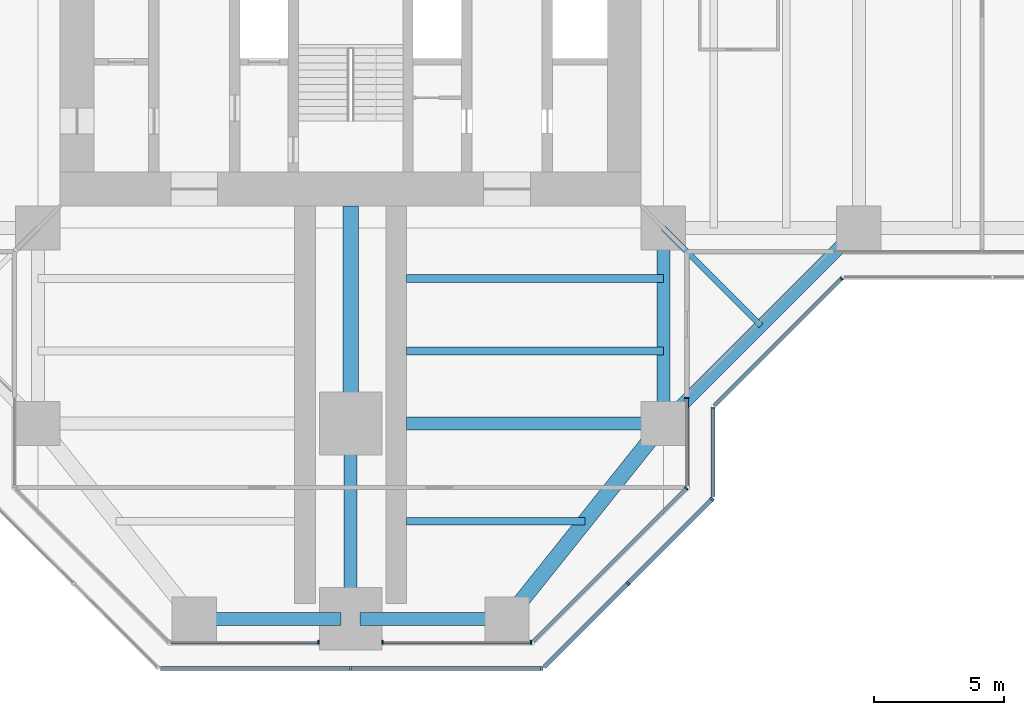
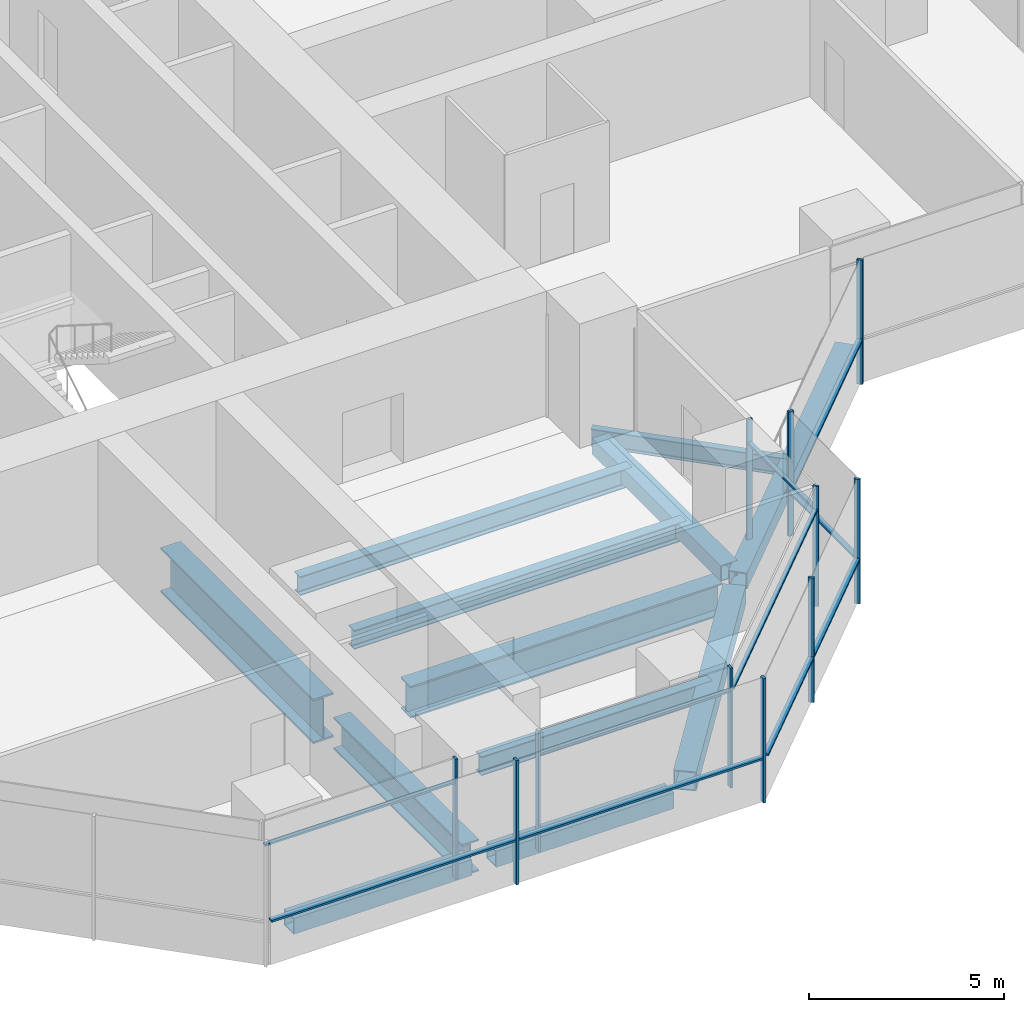
# One storey, part 4 of 20: 21 members, 12 beams, 8 elements without a shape of their own.
"""IFC4 building model written with IfcOpenShell, lengths in metres."""

from ifc_helpers import new_model, si_unit, direction, frame, origin, origin_2d, place, context, subcontext, project, spatial, rectangle, hollow_rectangle, i_section, extrude, material, material_profile, profile_set, type_object, element, aggregate, save


model = new_model("IFC4")

# Units and contexts
model_context = context("Model", 3, precision=1e-05, world=origin(), true_north=direction((0.0, 1.0)))
body_context = subcontext(model_context, "Body", "Model", "MODEL_VIEW")
ifc_project = project(units=[si_unit("LENGTHUNIT", "METRE"), si_unit("AREAUNIT", "SQUARE_METRE"), si_unit("VOLUMEUNIT", "CUBIC_METRE"), si_unit("PLANEANGLEUNIT", "RADIAN"), si_unit("MASSUNIT", "GRAM", prefix="KILO")], contexts=[model_context])

# Site, building, storey
site_placement = place(None, origin())
site = spatial("IfcSite", under=ifc_project, at=site_placement, CompositionType="ELEMENT")
building_placement = place(site_placement, origin())
building = spatial("IfcBuilding", under=site, at=building_placement, Name="Mizan Broadcast Tower", CompositionType="ELEMENT")
storey_placement = place(building_placement, frame((0.0, 0.0, 174.89990234375)))
storey = spatial("IfcBuildingStorey", under=building, at=storey_placement, Name="L40", CompositionType="ELEMENT", Elevation=174.89990234375)

# Beams
ifc_material_1 = material(Name="Steel S355", Category="steel")
ifc_material_profile_1 = material_profile(ifc_material_1, hollow_rectangle(XDim=0.5, YDim=0.5, WallThickness=0.030029296875, at=origin_2d()), Name="BOX 500x500x30")
ifc_profile_set_1 = profile_set([ifc_material_profile_1], Name="Steel S355")
beam_type_1 = type_object("IfcBeamType", Name="EDGE BEAM BOX 500x500x30", PredefinedType="SPANDREL", material=ifc_profile_set_1)
beam_1_placement = place(storey_placement, frame((-5.639892578125, -27.0, -0.3798828125), z_axis=(1.0, 0.0, 0.0), x_axis=(0.0, 1.0, 0.0)))
element("IfcBeam", 1, at=beam_1_placement, inside=storey, type_object=beam_type_1, Name="Edge beam BOX 500x500x30 L40 south arm", PredefinedType="SPANDREL", context=body_context, shape_type="SweptSolid", body=[
    extrude(hollow_rectangle(XDim=0.5, YDim=0.5, WallThickness=0.030029296875, at=origin_2d()), origin(), (0.0, 0.0, 1.0), 5.27978515625),
])
beam_2_placement = place(storey_placement, frame((12.0, -12.449951171875, -0.3798828125), z_axis=(0.0, -1.0, 0.0), x_axis=(1.0, 0.0, 0.0)))
element("IfcBeam", 2, at=beam_2_placement, inside=storey, type_object=beam_type_1, Name="Edge beam BOX 500x500x30 L40 south arm", PredefinedType="SPANDREL", context=body_context, shape_type="SweptSolid", body=[
    extrude(hollow_rectangle(XDim=0.5, YDim=0.5, WallThickness=0.030029296875, at=origin_2d()), origin(), (0.0, 0.0, 1.0), 6.60009765625),
])
beam_3_placement = place(storey_placement, frame((5.639892578125, -27.0, -0.3798828125), z_axis=(-1.0, 0.0, 0.0), x_axis=(0.0, -1.0, 0.0)))
element("IfcBeam", 3, at=beam_3_placement, inside=storey, type_object=beam_type_1, Name="Edge beam BOX 500x500x30 L40 south arm", PredefinedType="SPANDREL", context=body_context, shape_type="SweptSolid", body=[
    extrude(hollow_rectangle(XDim=0.5, YDim=0.5, WallThickness=0.030029296875, at=origin_2d()), origin(), (0.0, 0.0, 1.0), 5.27978515625),
])
beam_4_placement = place(storey_placement, frame((12.0, -19.5, -0.3798828125), z_axis=(0.707106781187, 0.707106781187, 0.0), x_axis=(-0.707106781187, 0.707106781187, 0.0)))
element("IfcBeam", 4, at=beam_4_placement, inside=storey, type_object=beam_type_1, Name="Winter garden edge beam L40 S", PredefinedType="SPANDREL", context=body_context, shape_type="SweptSolid", body=[
    extrude(hollow_rectangle(XDim=0.5, YDim=0.5, WallThickness=0.030029296875, at=origin_2d()), origin(), (0.0, 0.0, 1.0), 10.606689453125),
])
ifc_material_2 = material(Name="Steel S355", Category="steel")
ifc_material_profile_2 = material_profile(ifc_material_2, hollow_rectangle(XDim=0.60009765625, YDim=0.60009765625, WallThickness=0.030029296875, at=origin_2d()), Name="BOX 600x600x30")
ifc_profile_set_2 = profile_set([ifc_material_profile_2], Name="Steel S355")
beam_type_2 = type_object("IfcBeamType", Name="EDGE BEAM BOX 600x600x30", PredefinedType="SPANDREL", material=ifc_profile_set_2)
beam_5_placement = place(storey_placement, frame((11.639892578125, -19.949951171875, -0.429931640625), z_axis=(-0.624673911726, -0.780885717636, 0.0), x_axis=(0.780885717636, -0.624673911726, 0.0)))
element("IfcBeam", 5, at=beam_5_placement, inside=storey, type_object=beam_type_2, Name="Edge beam BOX 600x600x30 L40 south arm", PredefinedType="SPANDREL", context=body_context, shape_type="SweptSolid", body=[
    extrude(hollow_rectangle(XDim=0.60009765625, YDim=0.60009765625, WallThickness=0.030029296875, at=origin_2d()), origin(), (0.0, 0.0, 1.0), 8.4521484375),
])
ifc_material_3 = material(Name="Steel S460", Category="steel")
ifc_material_profile_3 = material_profile(ifc_material_3, i_section(OverallWidth=0.5, OverallDepth=1.0, WebThickness=0.02490234375, FlangeThickness=0.050048828125, at=origin_2d()), Name="WPG 1000x500")
ifc_profile_set_3 = profile_set([ifc_material_profile_3], Name="Steel S460")
beam_type_3 = type_object("IfcBeamType", Name="GIRDER WPG 1000x500", PredefinedType="BEAM", material=ifc_profile_set_3)
beam_6_placement = place(storey_placement, frame((0.0, -19.949951171875, -0.6298828125), z_axis=(0.0, -1.0, 0.0), x_axis=(1.0, 0.0, 0.0)))
element("IfcBeam", 6, at=beam_6_placement, inside=storey, type_object=beam_type_3, Name="Girder WPG 1000x500 L40 south arm", PredefinedType="BEAM", context=body_context, shape_type="SweptSolid", body=[
    extrude(i_section(OverallWidth=0.5, OverallDepth=1.0, WebThickness=0.02490234375, FlangeThickness=0.050048828125, at=origin_2d()), origin(), (0.0, 0.0, 1.0), 6.60009765625),
])
beam_7_placement = place(storey_placement, frame((11.408935546875, -19.5, -0.6298828125), z_axis=(-1.0, 0.0, 0.0), x_axis=(0.0, -1.0, 0.0)))
element("IfcBeam", 7, at=beam_7_placement, inside=storey, type_object=beam_type_3, Name="Girder WPG 1000x500 L40 south arm", PredefinedType="BEAM", context=body_context, shape_type="SweptSolid", body=[
    extrude(i_section(OverallWidth=0.5, OverallDepth=1.0, WebThickness=0.02490234375, FlangeThickness=0.050048828125, at=origin_2d()), origin(), (0.0, 0.0, 1.0), 9.259033203125),
])
ifc_material_4 = material(Name="Steel S460", Category="steel")
ifc_material_profile_4 = material_profile(ifc_material_4, i_section(OverallWidth=0.60009765625, OverallDepth=1.39990234375, WebThickness=0.02490234375, FlangeThickness=0.06005859375, at=origin_2d()), Name="WPG 1400x600")
ifc_profile_set_4 = profile_set([ifc_material_profile_4], Name="Steel S460")
beam_type_4 = type_object("IfcBeamType", Name="GIRDER WPG 1400x600", PredefinedType="BEAM", material=ifc_profile_set_4)
beam_8_placement = place(storey_placement, frame((0.0, -11.14990234375, -0.829833984375), z_axis=(0.0, -1.0, 0.0), x_axis=(1.0, 0.0, 0.0)))
element("IfcBeam", 8, at=beam_8_placement, inside=storey, type_object=beam_type_4, Name="Girder WPG 1400x600 L40 south arm", PredefinedType="BEAM", context=body_context, shape_type="SweptSolid", body=[
    extrude(i_section(OverallWidth=0.60009765625, OverallDepth=1.39990234375, WebThickness=0.02490234375, FlangeThickness=0.06005859375, at=origin_2d()), origin(), (0.0, 0.0, 1.0), 7.84912109375),
])

# Curtain wall, member
ifc_material_5 = material(Name="Aluminium framed glazing", Category="aluminium")
curtain_wall_type_1 = type_object("IfcCurtainWallType", Name="INNER SKIN MID ZONE", PredefinedType="USERDEFINED", material=ifc_material_5)
curtain_wall_1_placement = place(storey_placement, origin())
curtain_wall_1 = element("IfcCurtainWall", 9, at=curtain_wall_1_placement, inside=storey, type_object=curtain_wall_type_1, Name="Inner skin mid zone L40 S end", ObjectType="INNER SKIN MID ZONE", PredefinedType="USERDEFINED")
ifc_material_6 = material(Name="Aluminium, pale anodised", Category="aluminium")
ifc_material_profile_5 = material_profile(ifc_material_6, rectangle(XDim=0.159912109375, YDim=0.06005859375, at=origin_2d()), Name="MULLION 160x60")
ifc_profile_set_5 = profile_set([ifc_material_profile_5], Name="Aluminium, pale anodised")
member_type_1 = type_object("IfcMemberType", Name="INNER SKIN MULLION 60x160", PredefinedType="MULLION", material=ifc_profile_set_5)
member_1_placement = place(storey_placement, frame((-1.22998046875, -27.89990234375, 0.0), z_axis=(0.0, 0.0, 1.0), x_axis=(0.0, 1.0, 0.0)))
member_1 = element("IfcMember", 10, at=member_1_placement, type_object=member_type_1, Name="Inner skin mid zone L40 S end mullion 2", PredefinedType="MULLION", context=body_context, shape_type="SweptSolid", body=[
    extrude(rectangle(XDim=0.159912109375, YDim=0.06005859375, at=origin_2d()), origin(), (0.0, 0.0, 1.0), 3.77001953125),
])

# Curtain wall, members
curtain_wall_2_placement = place(storey_placement, origin())
curtain_wall_2 = element("IfcCurtainWall", 11, at=curtain_wall_2_placement, inside=storey, type_object=curtain_wall_type_1, Name="Inner skin mid zone L40 S end", ObjectType="INNER SKIN MID ZONE", PredefinedType="USERDEFINED")
member_2_placement = place(storey_placement, frame((1.22998046875, -27.89990234375, 0.0), z_axis=(0.0, 0.0, 1.0), x_axis=(0.0, 1.0, 0.0)))
member_2 = element("IfcMember", 12, at=member_2_placement, type_object=member_type_1, Name="Inner skin mid zone L40 S end mullion 1", PredefinedType="MULLION", context=body_context, shape_type="SweptSolid", body=[
    extrude(rectangle(XDim=0.159912109375, YDim=0.06005859375, at=origin_2d()), origin(), (0.0, 0.0, 1.0), 3.77001953125),
])
member_3_placement = place(storey_placement, frame((6.928466796875, -27.89990234375, 0.0), z_axis=(0.0, 0.0, 1.0), x_axis=(0.0, 1.0, 0.0)))
member_3 = element("IfcMember", 13, at=member_3_placement, type_object=member_type_1, Name="Inner skin mid zone L40 S end mullion 2", PredefinedType="MULLION", context=body_context, shape_type="SweptSolid", body=[
    extrude(rectangle(XDim=0.159912109375, YDim=0.06005859375, at=origin_2d()), origin(), (0.0, 0.0, 1.0), 3.77001953125),
])

# Curtain wall, member
curtain_wall_3_placement = place(storey_placement, origin())
curtain_wall_3 = element("IfcCurtainWall", 14, at=curtain_wall_3_placement, inside=storey, type_object=curtain_wall_type_1, Name="Inner skin mid zone L40 S chamfer", ObjectType="INNER SKIN MID ZONE", PredefinedType="USERDEFINED")
member_4_placement = place(storey_placement, frame((12.87890625, -21.979736328125, 0.0), z_axis=(0.0, 0.0, 1.0), x_axis=(-0.707106781187, 0.707106781187, 0.0)))
member_4 = element("IfcMember", 15, at=member_4_placement, type_object=member_type_1, Name="Inner skin mid zone L40 S chamfer mullion 2", PredefinedType="MULLION", context=body_context, shape_type="SweptSolid", body=[
    extrude(rectangle(XDim=0.159912109375, YDim=0.06005859375, at=origin_2d()), origin(), (0.0, 0.0, 1.0), 3.77001953125),
])

curtain_wall_4_placement = place(storey_placement, origin())
curtain_wall_4 = element("IfcCurtainWall", 16, at=curtain_wall_4_placement, inside=storey, type_object=curtain_wall_type_1, Name="Inner skin mid zone L40 S side", ObjectType="INNER SKIN MID ZONE", PredefinedType="USERDEFINED")
member_5_placement = place(storey_placement, frame((12.89990234375, -18.530029296875, 0.0), z_axis=(0.0, 0.0, 1.0), x_axis=(-1.0, 0.0, 0.0)))
member_5 = element("IfcMember", 17, at=member_5_placement, type_object=member_type_1, Name="Inner skin mid zone L40 S side mullion 2", PredefinedType="MULLION", context=body_context, shape_type="SweptSolid", body=[
    extrude(rectangle(XDim=0.159912109375, YDim=0.06005859375, at=origin_2d()), origin(), (0.0, 0.0, 1.0), 3.77001953125),
])

# Member
ifc_material_7 = material(Name="Aluminium, pale anodised", Category="aluminium")
ifc_material_profile_6 = material_profile(ifc_material_7, rectangle(XDim=0.1201171875, YDim=0.06005859375, at=origin_2d()), Name="TRANSOM 120x60")
ifc_profile_set_6 = profile_set([ifc_material_profile_6], Name="Aluminium, pale anodised")
member_type_2 = type_object("IfcMemberType", Name="INNER SKIN TRANSOM 60x120", PredefinedType="USERDEFINED", material=ifc_profile_set_6)
member_6_placement = place(storey_placement, frame((-6.898681640625, -27.89990234375, 3.030029296875), z_axis=(1.0, 0.0, 0.0), x_axis=(0.0, 1.0, 0.0)))
member_6 = element("IfcMember", 18, at=member_6_placement, type_object=member_type_2, Name="Inner skin mid zone L40 S end transom 1.1", ObjectType="TRANSOM", PredefinedType="USERDEFINED", context=body_context, shape_type="SweptSolid", body=[
    extrude(rectangle(XDim=0.1201171875, YDim=0.06005859375, at=origin_2d()), origin(), (0.0, 0.0, 1.0), 5.638671875),
])

aggregate(curtain_wall_1, [member_1, member_6])

member_7_placement = place(storey_placement, frame((1.260009765625, -27.89990234375, 3.030029296875), z_axis=(1.0, 0.0, 0.0), x_axis=(0.0, 1.0, 0.0)))
member_7 = element("IfcMember", 19, at=member_7_placement, type_object=member_type_2, Name="Inner skin mid zone L40 S end transom 1.1", ObjectType="TRANSOM", PredefinedType="USERDEFINED", context=body_context, shape_type="SweptSolid", body=[
    extrude(rectangle(XDim=0.1201171875, YDim=0.06005859375, at=origin_2d()), origin(), (0.0, 0.0, 1.0), 5.638671875),
])

aggregate(curtain_wall_2, [member_2, member_3, member_7])

member_8_placement = place(storey_placement, frame((7.0009765625, -27.857666015625, 3.030029296875), z_axis=(0.707106781187, 0.707106781187, 0.0), x_axis=(-0.707106781187, 0.707106781187, 0.0)))
member_8 = element("IfcMember", 20, at=member_8_placement, type_object=member_type_2, Name="Inner skin mid zone L40 S chamfer transom 1.1", ObjectType="TRANSOM", PredefinedType="USERDEFINED", context=body_context, shape_type="SweptSolid", body=[
    extrude(rectangle(XDim=0.1201171875, YDim=0.06005859375, at=origin_2d()), origin(), (0.0, 0.0, 1.0), 8.28271484375),
])

aggregate(curtain_wall_3, [member_4, member_8])

member_9_placement = place(storey_placement, frame((12.89990234375, -21.898681640625, 3.030029296875), z_axis=(0.0, 1.0, 0.0), x_axis=(-1.0, 0.0, 0.0)))
member_9 = element("IfcMember", 21, at=member_9_placement, type_object=member_type_2, Name="Inner skin mid zone L40 S side transom 1.1", ObjectType="TRANSOM", PredefinedType="USERDEFINED", context=body_context, shape_type="SweptSolid", body=[
    extrude(rectangle(XDim=0.1201171875, YDim=0.06005859375, at=origin_2d()), origin(), (0.0, 0.0, 1.0), 3.338623046875),
])

aggregate(curtain_wall_4, [member_5, member_9])

# Curtain wall, members
ifc_material_8 = material(Name="Aluminium framed glazing", Category="aluminium")
curtain_wall_type_2 = type_object("IfcCurtainWallType", Name="OUTER SKIN", PredefinedType="USERDEFINED", material=ifc_material_8)
curtain_wall_5_placement = place(storey_placement, origin())
curtain_wall_5 = element("IfcCurtainWall", 22, at=curtain_wall_5_placement, inside=storey, type_object=curtain_wall_type_2, Name="Outer skin L40 S end", ObjectType="OUTER SKIN", PredefinedType="USERDEFINED")
ifc_material_9 = material(Name="Aluminium, pale anodised", Category="aluminium")
ifc_material_profile_7 = material_profile(ifc_material_9, rectangle(XDim=0.159912109375, YDim=0.080078125, at=origin_2d()), Name="MULLION 160x80")
ifc_profile_set_7 = profile_set([ifc_material_profile_7], Name="Aluminium, pale anodised")
member_type_3 = type_object("IfcMemberType", Name="OUTER SKIN MULLION 80x160", PredefinedType="MULLION", material=ifc_profile_set_7)
member_10_placement = place(storey_placement, frame((0.0, -28.89990234375, 0.0), z_axis=(0.0, 0.0, 1.0), x_axis=(0.0, 1.0, 0.0)))
member_10 = element("IfcMember", 23, at=member_10_placement, type_object=member_type_3, Name="Outer skin L40 S end mullion 2", PredefinedType="MULLION", context=body_context, shape_type="SweptSolid", body=[
    extrude(rectangle(XDim=0.159912109375, YDim=0.080078125, at=origin_2d()), origin(), (0.0, 0.0, 1.0), 3.900146484375),
])
member_11_placement = place(storey_placement, frame((7.332763671875, -28.89990234375, 0.0), z_axis=(0.0, 0.0, 1.0), x_axis=(0.0, 1.0, 0.0)))
member_11 = element("IfcMember", 24, at=member_11_placement, type_object=member_type_3, Name="Outer skin L40 S end mullion 3", PredefinedType="MULLION", context=body_context, shape_type="SweptSolid", body=[
    extrude(rectangle(XDim=0.159912109375, YDim=0.080078125, at=origin_2d()), origin(), (0.0, 0.0, 1.0), 3.900146484375),
])

curtain_wall_6_placement = place(storey_placement, origin())
curtain_wall_6 = element("IfcCurtainWall", 25, at=curtain_wall_6_placement, inside=storey, type_object=curtain_wall_type_2, Name="Outer skin L40 S chamfer", ObjectType="OUTER SKIN", PredefinedType="USERDEFINED")
member_12_placement = place(storey_placement, frame((10.636474609375, -25.636474609375, 0.0), z_axis=(0.0, 0.0, 1.0), x_axis=(-0.707106781187, 0.707106781187, 0.0)))
member_12 = element("IfcMember", 26, at=member_12_placement, type_object=member_type_3, Name="Outer skin L40 S chamfer mullion 2", PredefinedType="MULLION", context=body_context, shape_type="SweptSolid", body=[
    extrude(rectangle(XDim=0.159912109375, YDim=0.080078125, at=origin_2d()), origin(), (0.0, 0.0, 1.0), 3.900146484375),
])
member_13_placement = place(storey_placement, frame((13.871826171875, -22.401123046875, 0.0), z_axis=(0.0, 0.0, 1.0), x_axis=(-0.707106781187, 0.707106781187, 0.0)))
member_13 = element("IfcMember", 27, at=member_13_placement, type_object=member_type_3, Name="Outer skin L40 S chamfer mullion 3", PredefinedType="MULLION", context=body_context, shape_type="SweptSolid", body=[
    extrude(rectangle(XDim=0.159912109375, YDim=0.080078125, at=origin_2d()), origin(), (0.0, 0.0, 1.0), 3.900146484375),
])

# Curtain wall, member
curtain_wall_7_placement = place(storey_placement, origin())
curtain_wall_7 = element("IfcCurtainWall", 28, at=curtain_wall_7_placement, inside=storey, type_object=curtain_wall_type_2, Name="Outer skin L40 S side", ObjectType="OUTER SKIN", PredefinedType="USERDEFINED")
member_14_placement = place(storey_placement, frame((13.89990234375, -18.912841796875, 0.0), z_axis=(0.0, 0.0, 1.0), x_axis=(-1.0, 0.0, 0.0)))
member_14 = element("IfcMember", 29, at=member_14_placement, type_object=member_type_3, Name="Outer skin L40 S side mullion 2", PredefinedType="MULLION", context=body_context, shape_type="SweptSolid", body=[
    extrude(rectangle(XDim=0.159912109375, YDim=0.080078125, at=origin_2d()), origin(), (0.0, 0.0, 1.0), 3.900146484375),
])

curtain_wall_8_placement = place(storey_placement, origin())
curtain_wall_8 = element("IfcCurtainWall", 30, at=curtain_wall_8_placement, inside=storey, type_object=curtain_wall_type_2, Name="Outer skin L40 E chamfer", ObjectType="OUTER SKIN", PredefinedType="USERDEFINED")
member_15_placement = place(storey_placement, frame((18.844482421875, -13.92822265625, 0.0), z_axis=(0.0, 0.0, 1.0), x_axis=(-0.707106781187, 0.707106781187, 0.0)))
member_15 = element("IfcMember", 31, at=member_15_placement, type_object=member_type_3, Name="Outer skin L40 E chamfer mullion 2", PredefinedType="MULLION", context=body_context, shape_type="SweptSolid", body=[
    extrude(rectangle(XDim=0.159912109375, YDim=0.080078125, at=origin_2d()), origin(), (0.0, 0.0, 1.0), 3.900146484375),
])

# Member
ifc_material_10 = material(Name="Aluminium, pale anodised", Category="aluminium")
ifc_material_profile_8 = material_profile(ifc_material_10, rectangle(XDim=0.159912109375, YDim=0.06005859375, at=origin_2d()), Name="TRANSOM 160x60")
ifc_profile_set_8 = profile_set([ifc_material_profile_8], Name="Aluminium, pale anodised")
member_type_4 = type_object("IfcMemberType", Name="OUTER SKIN TRANSOM 60x160", PredefinedType="USERDEFINED", material=ifc_profile_set_8)
member_16_placement = place(storey_placement, frame((-7.292724609375, -28.89990234375, 1.400146484375), z_axis=(1.0, 0.0, 0.0), x_axis=(0.0, 1.0, 0.0)))
member_16 = element("IfcMember", 32, at=member_16_placement, type_object=member_type_4, Name="Outer skin L40 S end transom 1.1", ObjectType="TRANSOM", PredefinedType="USERDEFINED", context=body_context, shape_type="SweptSolid", body=[
    extrude(rectangle(XDim=0.159912109375, YDim=0.06005859375, at=origin_2d()), origin(), (0.0, 0.0, 1.0), 7.252685546875),
])

member_17_placement = place(storey_placement, frame((0.0400390625, -28.89990234375, 1.400146484375), z_axis=(1.0, 0.0, 0.0), x_axis=(0.0, 1.0, 0.0)))
member_17 = element("IfcMember", 33, at=member_17_placement, type_object=member_type_4, Name="Outer skin L40 S end transom 2.1", ObjectType="TRANSOM", PredefinedType="USERDEFINED", context=body_context, shape_type="SweptSolid", body=[
    extrude(rectangle(XDim=0.159912109375, YDim=0.06005859375, at=origin_2d()), origin(), (0.0, 0.0, 1.0), 7.252685546875),
])

aggregate(curtain_wall_5, [member_10, member_11, member_16, member_17])

member_18_placement = place(storey_placement, frame((7.429443359375, -28.843505859375, 1.400146484375), z_axis=(0.707106781187, 0.707106781187, 0.0), x_axis=(-0.707106781187, 0.707106781187, 0.0)))
member_18 = element("IfcMember", 34, at=member_18_placement, type_object=member_type_4, Name="Outer skin L40 S chamfer transom 1.1", ObjectType="TRANSOM", PredefinedType="USERDEFINED", context=body_context, shape_type="SweptSolid", body=[
    extrude(rectangle(XDim=0.159912109375, YDim=0.06005859375, at=origin_2d()), origin(), (0.0, 0.0, 1.0), 4.495361328125),
])

member_19_placement = place(storey_placement, frame((10.664794921875, -25.608154296875, 1.400146484375), z_axis=(0.707106781187, 0.707106781187, 0.0), x_axis=(-0.707106781187, 0.707106781187, 0.0)))
member_19 = element("IfcMember", 35, at=member_19_placement, type_object=member_type_4, Name="Outer skin L40 S chamfer transom 2.1", ObjectType="TRANSOM", PredefinedType="USERDEFINED", context=body_context, shape_type="SweptSolid", body=[
    extrude(rectangle(XDim=0.159912109375, YDim=0.06005859375, at=origin_2d()), origin(), (0.0, 0.0, 1.0), 4.495361328125),
])

aggregate(curtain_wall_6, [member_12, member_13, member_18, member_19])

member_20_placement = place(storey_placement, frame((13.89990234375, -22.292724609375, 1.400146484375), z_axis=(0.0, 1.0, 0.0), x_axis=(-1.0, 0.0, 0.0)))
member_20 = element("IfcMember", 36, at=member_20_placement, type_object=member_type_4, Name="Outer skin L40 S side transom 1.1", ObjectType="TRANSOM", PredefinedType="USERDEFINED", context=body_context, shape_type="SweptSolid", body=[
    extrude(rectangle(XDim=0.159912109375, YDim=0.06005859375, at=origin_2d()), origin(), (0.0, 0.0, 1.0), 3.33984375),
])

aggregate(curtain_wall_7, [member_14, member_20])

member_21_placement = place(storey_placement, frame((13.95654296875, -18.816162109375, 1.400146484375), z_axis=(0.707106781187, 0.707106781187, 0.0), x_axis=(-0.707106781187, 0.707106781187, 0.0)))
member_21 = element("IfcMember", 37, at=member_21_placement, type_object=member_type_4, Name="Outer skin L40 E chamfer transom 1.1", ObjectType="TRANSOM", PredefinedType="USERDEFINED", context=body_context, shape_type="SweptSolid", body=[
    extrude(rectangle(XDim=0.159912109375, YDim=0.06005859375, at=origin_2d()), origin(), (0.0, 0.0, 1.0), 6.87255859375),
])

aggregate(curtain_wall_8, [member_15, member_21])

# Beams
ifc_material_11 = material(Name="Steel S355", Category="steel")
ifc_material_profile_9 = material_profile(ifc_material_11, i_section(OverallWidth=0.300048828125, OverallDepth=0.590087890625, WebThickness=0.012939453125, FlangeThickness=0.02490234375, FilletRadius=0.027099609375, at=origin_2d()), Name="HEA 600")
ifc_profile_set_9 = profile_set([ifc_material_profile_9], Name="Steel S355")
beam_type_5 = type_object("IfcBeamType", Name="SECONDARY BEAM HEA 600", PredefinedType="JOIST", material=ifc_profile_set_9)
for number, where, z_axis, x_axis, name in (
    (38, (12.0, -13.933349609375, -0.4248046875), (-1.0, 0.0, 0.0), (0.0, -1.0, 0.0), "Secondary beam HEA 600 L40 south arm"),
    (39, (12.0, -16.716552734375, -0.4248046875), (-1.0, 0.0, 0.0), (0.0, -1.0, 0.0), "Secondary beam HEA 600 L40 south arm"),
):
    element("IfcBeam", number, at=place(storey_placement, frame(where, z_axis=z_axis, x_axis=x_axis)), inside=storey, type_object=beam_type_5, Name=name, PredefinedType="JOIST", context=body_context, shape_type="SweptSolid", body=[
        extrude(i_section(OverallWidth=0.300048828125, OverallDepth=0.590087890625, WebThickness=0.012939453125, FlangeThickness=0.02490234375, FilletRadius=0.027099609375, at=origin_2d()), origin(), (0.0, 0.0, 1.0), 9.85009765625),
    ])
beam_9_placement = place(storey_placement, frame((9.0, -23.25, -0.4248046875), z_axis=(-1.0, 0.0, 0.0), x_axis=(0.0, -1.0, 0.0)))
element("IfcBeam", 40, at=beam_9_placement, inside=storey, type_object=beam_type_5, Name="Secondary beam HEA 600 L40 south arm", PredefinedType="JOIST", context=body_context, shape_type="SweptSolid", body=[
    extrude(i_section(OverallWidth=0.300048828125, OverallDepth=0.590087890625, WebThickness=0.012939453125, FlangeThickness=0.02490234375, FilletRadius=0.027099609375, at=origin_2d()), origin(), (0.0, 0.0, 1.0), 6.85009765625),
])
ifc_material_12 = material(Name="Steel S355", Category="steel")
ifc_material_profile_10 = material_profile(ifc_material_12, i_section(OverallWidth=0.2099609375, OverallDepth=0.550048828125, WebThickness=0.010986328125, FlangeThickness=0.01708984375, FilletRadius=0.02392578125, at=origin_2d()), Name="IPE 550")
ifc_profile_set_10 = profile_set([ifc_material_profile_10], Name="Steel S355")
beam_type_6 = type_object("IfcBeamType", Name="SECONDARY BEAM IPE 550", PredefinedType="JOIST", material=ifc_profile_set_10)
beam_10_placement = place(storey_placement, frame((12.0, -12.0, -0.40478515625), z_axis=(0.707106781187, -0.707106781187, 0.0), x_axis=(0.707106781187, 0.707106781187, 0.0)))
element("IfcBeam", 41, at=beam_10_placement, inside=storey, type_object=beam_type_6, Name="Winter garden beam L40 S", PredefinedType="JOIST", context=body_context, shape_type="SweptSolid", body=[
    extrude(i_section(OverallWidth=0.2099609375, OverallDepth=0.550048828125, WebThickness=0.010986328125, FlangeThickness=0.01708984375, FilletRadius=0.02392578125, at=origin_2d()), origin(), (0.0, 0.0, 1.0), 5.30322265625),
])

save(model, "model.ifc")
